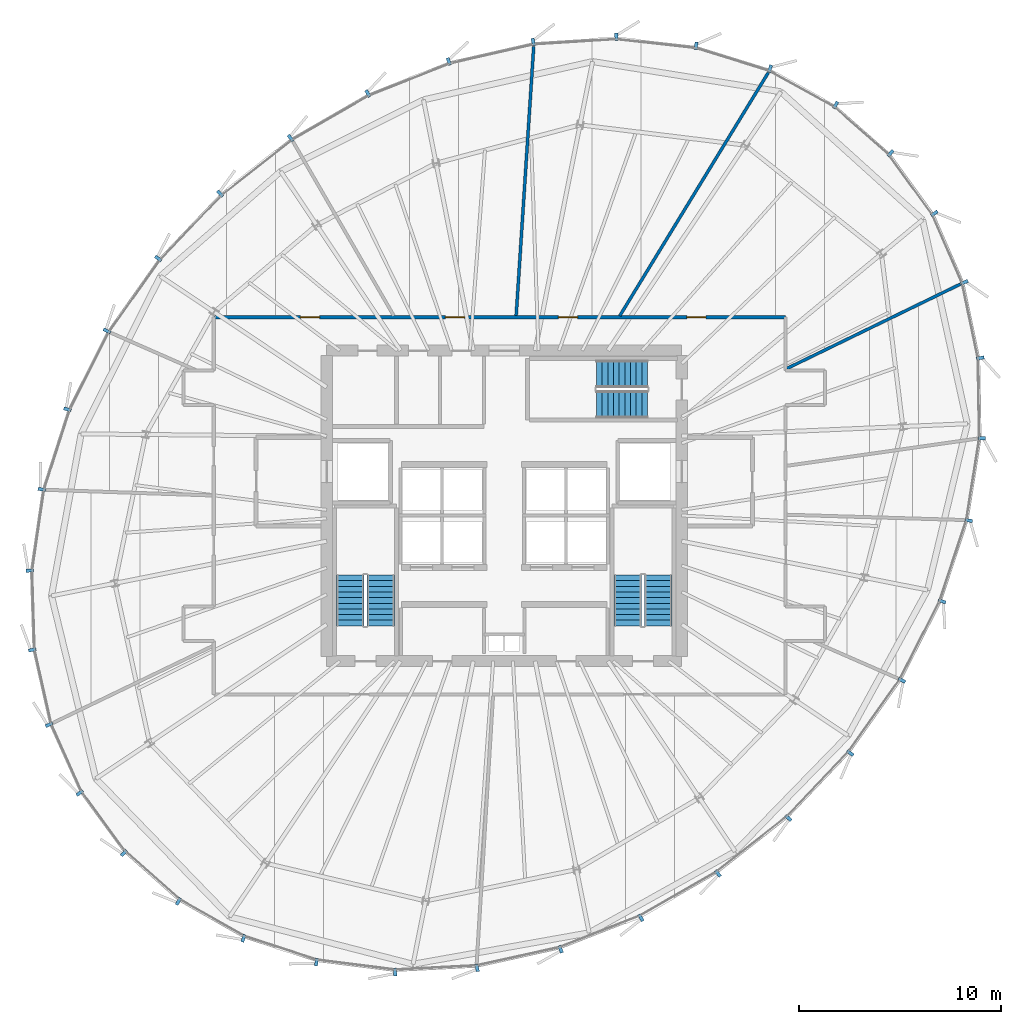
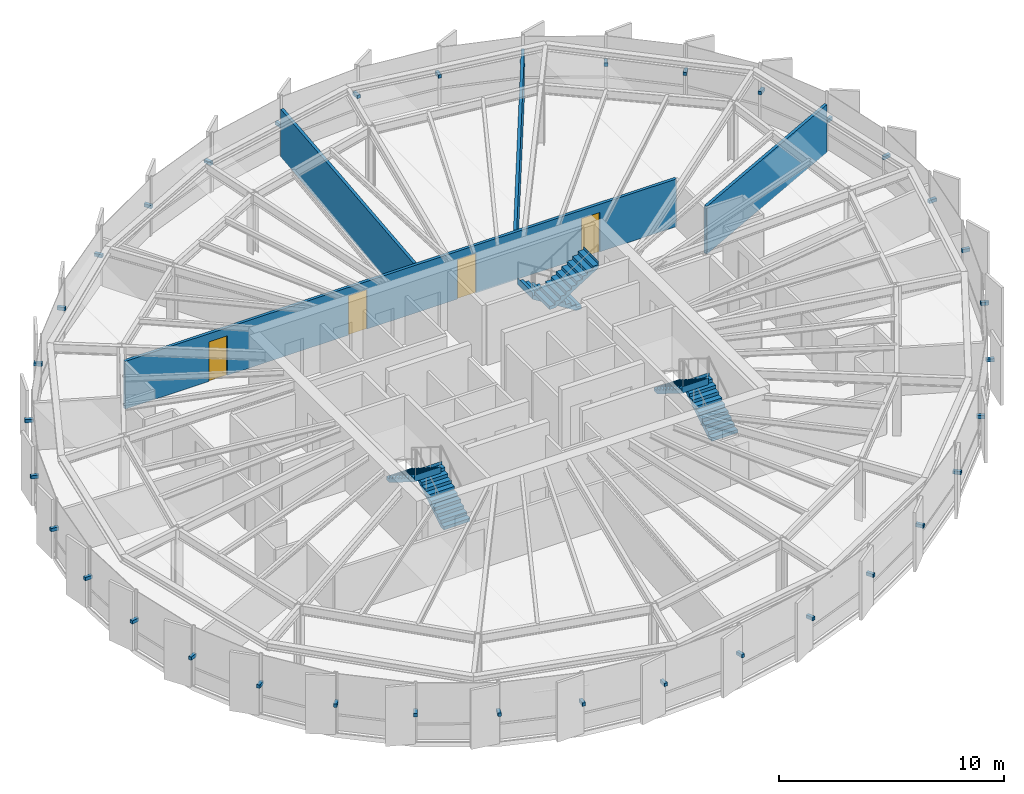
# One storey, part 32 of 35: 36 discrete accessories, 6 stair flights, 4 doors, 4 walls, 4 openings, 3 elements without a shape of their own.
"""IFC4 building model written with IfcOpenShell, lengths in metres."""

from ifc_helpers import new_model, si_unit, direction, frame, frame_2d, origin, origin_2d, place, context, subcontext, project, spatial, polyline, rectangle, outline, extrude, source, transform, mapped, material, layer, layer_set, type_object, element, fill, aggregate, save


model = new_model("IFC4")

# Units and contexts
model_context = context("Model", 3, precision=1e-05, world=origin(), true_north=direction((0.0, 1.0)))
body_context = subcontext(model_context, "Body", "Model", "MODEL_VIEW")
ifc_project = project(units=[si_unit("LENGTHUNIT", "METRE"), si_unit("AREAUNIT", "SQUARE_METRE"), si_unit("VOLUMEUNIT", "CUBIC_METRE"), si_unit("PLANEANGLEUNIT", "RADIAN"), si_unit("MASSUNIT", "GRAM", prefix="KILO"), si_unit("THERMODYNAMICTEMPERATUREUNIT", "KELVIN")], contexts=[model_context])

# Site, building, storey
site_placement = place(None, origin())
site = spatial("IfcSite", under=ifc_project, at=site_placement, CompositionType="ELEMENT")
building_placement = place(site_placement, origin())
building = spatial("IfcBuilding", under=site, at=building_placement, Name="Kethvar Cultural Tower", CompositionType="ELEMENT")
storey_placement = place(building_placement, frame((0.0, 0.0, 204.39990234375)))
storey = spatial("IfcBuildingStorey", under=building, at=storey_placement, Name="L53", CompositionType="ELEMENT", Elevation=204.39990234375)

# Wall, openings, doors
ifc_material_1 = material(Name="Gypsum Fireboard Partition")
ifc_layer_1 = layer(ifc_material_1, 0.14990234375, Name="Gypsum Fireboard Partition")
ifc_layer_set_1 = layer_set([ifc_layer_1], Name="Gypsum Fireboard Partition (150 mm)")
wall_type_1 = type_object("IfcWallType", Name="WL-FIRE-150", PredefinedType="PARTITIONING", material=ifc_layer_set_1)
wall_1_placement = place(storey_placement, frame((60.75, 37.14990234375, 0.0), z_axis=(0.0, 0.0, 1.0), x_axis=(-1.0, 0.0, 0.0)))
wall_1 = element("IfcWall", 1, at=wall_1_placement, inside=storey, type_object=wall_type_1, Name="L53 Corridor Rated Wall N", PredefinedType="PARTITIONING", context=body_context, shape_type="SweptSolid", body=[
    extrude(rectangle(XDim=28.35009765625, YDim=0.14990234375, at=frame_2d((14.175048828125, 0.0))), origin(), (0.0, 0.0, 1.0), 2.59521484375),
])
opening_1_placement = place(wall_1_placement, frame((3.946533203125, 0.0, 0.0)))
opening_1 = element("IfcOpeningElement", 2, at=opening_1_placement, cuts=wall_1, Name="Opening D-L53-06", PredefinedType="OPENING", context=body_context, shape_type="SweptSolid", body=[
    extrude(rectangle(XDim=0.949951171875, YDim=2.14990234375, at=frame_2d((0.47509765625, 1.074951171875))), frame((0.0, 0.0849609375, 0.0), z_axis=(0.0, -1.0, 0.0), x_axis=(1.0, 0.0, 0.0)), (0.0, 0.0, 1.0), 0.169921875),
])
opening_2_placement = place(wall_1_placement, frame((10.313720703125, 0.0, 0.0)))
opening_2 = element("IfcOpeningElement", 3, at=opening_2_placement, cuts=wall_1, Name="Opening D-L53-07", PredefinedType="OPENING", context=body_context, shape_type="SweptSolid", body=[
    extrude(rectangle(XDim=0.949951171875, YDim=2.14990234375, at=frame_2d((0.47509765625, 1.074951171875))), frame((0.0, 0.0849609375, 0.0), z_axis=(0.0, -1.0, 0.0), x_axis=(1.0, 0.0, 0.0)), (0.0, 0.0, 1.0), 0.169921875),
])
opening_3_placement = place(wall_1_placement, frame((15.91796875, 0.0, 0.0)))
opening_3 = element("IfcOpeningElement", 4, at=opening_3_placement, cuts=wall_1, Name="Opening D-L53-08", PredefinedType="OPENING", context=body_context, shape_type="SweptSolid", body=[
    extrude(rectangle(XDim=0.949951171875, YDim=2.14990234375, at=frame_2d((0.47509765625, 1.074951171875))), frame((0.0, 0.0849609375, 0.0), z_axis=(0.0, -1.0, 0.0), x_axis=(1.0, 0.0, 0.0)), (0.0, 0.0, 1.0), 0.169921875),
])
opening_4_placement = place(wall_1_placement, frame((23.100341796875, 0.0, 0.0)))
opening_4 = element("IfcOpeningElement", 5, at=opening_4_placement, cuts=wall_1, Name="Opening D-L53-09", PredefinedType="OPENING", context=body_context, shape_type="SweptSolid", body=[
    extrude(rectangle(XDim=0.949951171875, YDim=2.14990234375, at=frame_2d((0.47509765625, 1.074951171875))), frame((0.0, 0.0849609375, 0.0), z_axis=(0.0, -1.0, 0.0), x_axis=(1.0, 0.0, 0.0)), (0.0, 0.0, 1.0), 0.169921875),
])
ifc_material_2 = material(Name="Architectural Oak Timber", Category="wood")
door_type = type_object("IfcDoorType", Name="DR-FD30-950", OperationType="NOTDEFINED", PredefinedType="DOOR", material=ifc_material_2)
shared_shape_1 = source(origin(), body_context, "Body", "SweptSolid", [
    extrude(rectangle(XDim=0.949951171875, YDim=2.14990234375, at=frame_2d((0.47509765625, 1.074951171875))), frame((0.0, 0.02490234375, 0.0), z_axis=(0.0, -1.0, 0.0), x_axis=(1.0, 0.0, 0.0)), (0.0, 0.0, 1.0), 0.050048828125),
])
door_1_placement = place(opening_1_placement, origin())
door_1 = element("IfcDoor", 6, at=door_1_placement, inside=storey, type_object=door_type, Name="L53 Symposium Conference Room 06 Door", OperationType="SINGLE_SWING_LEFT", OverallHeight=2.14990234375, OverallWidth=0.949951171875, PredefinedType="DOOR", context=body_context, shape_type="MappedRepresentation", body=[
    mapped(shared_shape_1, transform((0.0, 0.0, 0.0), scale=1.0)),
])
fill(opening_1, door_1)
door_2_placement = place(opening_2_placement, origin())
door_2 = element("IfcDoor", 7, at=door_2_placement, inside=storey, type_object=door_type, Name="L53 Hospitality Sitting Lounge 07 Door", OperationType="SINGLE_SWING_RIGHT", OverallHeight=2.14990234375, OverallWidth=0.949951171875, PredefinedType="DOOR", context=body_context, shape_type="MappedRepresentation", body=[
    mapped(shared_shape_1, transform((0.0, 0.0, 0.0), scale=1.0)),
])
fill(opening_2, door_2)
door_3_placement = place(opening_3_placement, origin())
door_3 = element("IfcDoor", 8, at=door_3_placement, inside=storey, type_object=door_type, Name="L53 Scholars' Den Lounge 08 Door", OperationType="SINGLE_SWING_LEFT", OverallHeight=2.14990234375, OverallWidth=0.949951171875, PredefinedType="DOOR", context=body_context, shape_type="MappedRepresentation", body=[
    mapped(shared_shape_1, transform((0.0, 0.0, 0.0), scale=1.0)),
])
fill(opening_3, door_3)
door_4_placement = place(opening_4_placement, origin())
door_4 = element("IfcDoor", 9, at=door_4_placement, inside=storey, type_object=door_type, Name="L53 Laboratory Tea Pantry 09 Door", OperationType="SINGLE_SWING_RIGHT", OverallHeight=2.14990234375, OverallWidth=0.949951171875, PredefinedType="DOOR", context=body_context, shape_type="MappedRepresentation", body=[
    mapped(shared_shape_1, transform((0.0, 0.0, 0.0), scale=1.0)),
])
fill(opening_4, door_4)

# Walls
ifc_material_3 = material(Name="Gypsum Acoustic Partition")
ifc_layer_2 = layer(ifc_material_3, 0.14990234375, Name="Gypsum Acoustic Partition")
ifc_layer_set_2 = layer_set([ifc_layer_2], Name="Gypsum Acoustic Partition (150 mm)")
wall_type_2 = type_object("IfcWallType", Name="WL-PART-150", PredefinedType="PARTITIONING", material=ifc_layer_set_2)
wall_2_placement = place(storey_placement, frame((60.822021484375, 34.611083984375, 0.0), z_axis=(0.0, 0.0, 1.0), x_axis=(0.899297815146, 0.437336757743, 0.0)))
element("IfcWall", 10, at=wall_2_placement, inside=storey, type_object=wall_type_2, Name="L53 Radial Partition Wall 06", PredefinedType="PARTITIONING", context=body_context, shape_type="SweptSolid", body=[
    extrude(rectangle(XDim=9.5576171875, YDim=0.14990234375, at=frame_2d((4.77880859375, 0.0))), origin(), (0.0, 0.0, 1.0), 2.59521484375),
])
wall_3_placement = place(storey_placement, frame((52.5283203125, 37.21826171875, 0.0), z_axis=(0.0, 0.0, 1.0), x_axis=(0.521222786582, 0.853420650528, 0.0)))
element("IfcWall", 11, at=wall_3_placement, inside=storey, type_object=wall_type_2, Name="L53 Radial Partition Wall 07", PredefinedType="PARTITIONING", context=body_context, shape_type="SweptSolid", body=[
    extrude(rectangle(XDim=14.1259765625, YDim=0.14990234375, at=frame_2d((7.06298828125, 0.0))), origin(), (0.0, 0.0, 1.0), 2.59521484375),
])
wall_4_placement = place(storey_placement, frame((47.39306640625, 37.229736328125, 0.0), z_axis=(0.0, 0.0, 1.0), x_axis=(0.065049504942, 0.997882038072, 0.0)))
element("IfcWall", 12, at=wall_4_placement, inside=storey, type_object=wall_type_2, Name="L53 Radial Partition Wall 08", PredefinedType="PARTITIONING", context=body_context, shape_type="SweptSolid", body=[
    extrude(rectangle(XDim=13.376220703125, YDim=0.14990234375, at=frame_2d((6.68798828125, 0.0))), origin(), (0.0, 0.0, 1.0), 2.59521484375),
])

# Stair, stair flights
ifc_material_4 = material(Name="Concrete C40/50", Category="concrete")
stair_type = type_object("IfcStairType", Name="ST-DOGLEG-135", PredefinedType="HALF_TURN_STAIR", material=ifc_material_4)
stair_1_placement = place(storey_placement, origin())
stair_1 = element("IfcStair", 13, at=stair_1_placement, inside=storey, type_object=stair_type, Name="L53 Core Exit Stair 1", PredefinedType="HALF_TURN_STAIR")
stair_flight_type = type_object("IfcStairFlightType", Name="FL-STRAIGHT-135", PredefinedType="STRAIGHT", material=ifc_material_4)
stair_flight_1_placement = place(storey_placement, frame((40.675048828125, 21.85009765625, 0.0), z_axis=(0.0, 0.0, 1.0), x_axis=(0.0, 1.0, 0.0)))
stair_flight_1 = element("IfcStairFlight", 14, at=stair_flight_1_placement, type_object=stair_flight_type, Name="ST-01 flight 1", NumberOfRisers=10, NumberOfTreads=9, PredefinedType="STRAIGHT", RiserHeight=0.175, TreadLength=0.28, context=body_context, shape_type="SweptSolid", body=[
    extrude(outline(polyline([(-0.0009765625, -0.0009765625), (-0.0009765625, 0.175048828125), (0.280029296875, 0.175048828125), (0.280029296875, 0.35009765625), (0.56005859375, 0.35009765625), (0.56005859375, 0.52490234375), (0.840087890625, 0.52490234375), (0.840087890625, 0.699951171875), (1.1201171875, 0.699951171875), (1.1201171875, 0.875), (1.39990234375, 0.875), (1.39990234375, 1.050048828125), (1.679931640625, 1.050048828125), (1.679931640625, 1.22509765625), (1.9599609375, 1.22509765625), (1.9599609375, 1.39990234375), (2.239990234375, 1.39990234375), (2.239990234375, 1.574951171875), (2.52001953125, 1.574951171875), (2.52001953125, 1.75), (2.52099609375, 1.75), (2.52099609375, 1.398193359375), (0.28271484375, 0.0), (0.0, -0.0009765625), (-0.0009765625, -0.0009765625)])), frame((0.0, 0.675048828125, 0.0), z_axis=(0.0, -1.0, 0.0), x_axis=(1.0, 0.0, 0.0)), (0.0, 0.0, 1.0), 1.35009765625),
])
stair_flight_2_placement = place(storey_placement, frame((39.1650390625, 24.3701171875, 1.75), z_axis=(0.0, 0.0, 1.0), x_axis=(0.0, -1.0, 0.0)))
stair_flight_2 = element("IfcStairFlight", 15, at=stair_flight_2_placement, type_object=stair_flight_type, Name="ST-01 flight 2", NumberOfRisers=10, NumberOfTreads=9, PredefinedType="STRAIGHT", RiserHeight=0.175, TreadLength=0.28, context=body_context, shape_type="SweptSolid", body=[
    extrude(outline(polyline([(-0.0009765625, -0.0009765625), (-0.0009765625, 0.175048828125), (0.280029296875, 0.175048828125), (0.280029296875, 0.35009765625), (0.56005859375, 0.35009765625), (0.56005859375, 0.52490234375), (0.840087890625, 0.52490234375), (0.840087890625, 0.699951171875), (1.1201171875, 0.699951171875), (1.1201171875, 0.875), (1.39990234375, 0.875), (1.39990234375, 1.050048828125), (1.679931640625, 1.050048828125), (1.679931640625, 1.22509765625), (1.9599609375, 1.22509765625), (1.9599609375, 1.39990234375), (2.239990234375, 1.39990234375), (2.239990234375, 1.574951171875), (2.52001953125, 1.574951171875), (2.52001953125, 1.75), (2.52099609375, 1.75), (2.52099609375, 1.398193359375), (0.28271484375, 0.0), (0.0, -0.0009765625), (-0.0009765625, -0.0009765625)])), frame((0.0, 0.675048828125, 0.0), z_axis=(0.0, -1.0, 0.0), x_axis=(1.0, 0.0, 0.0)), (0.0, 0.0, 1.0), 1.35009765625),
])
aggregate(stair_1, [stair_flight_1, stair_flight_2])

stair_2_placement = place(storey_placement, origin())
stair_2 = element("IfcStair", 16, at=stair_2_placement, inside=storey, type_object=stair_type, Name="L53 Core Exit Stair 2", PredefinedType="HALF_TURN_STAIR")
stair_flight_3_placement = place(storey_placement, frame((54.43505859375, 21.85009765625, 0.0), z_axis=(0.0, 0.0, 1.0), x_axis=(0.0, 1.0, 0.0)))
stair_flight_3 = element("IfcStairFlight", 17, at=stair_flight_3_placement, type_object=stair_flight_type, Name="ST-02 flight 1", NumberOfRisers=10, NumberOfTreads=9, PredefinedType="STRAIGHT", RiserHeight=0.175, TreadLength=0.28, context=body_context, shape_type="SweptSolid", body=[
    extrude(outline(polyline([(-0.0009765625, -0.0009765625), (-0.0009765625, 0.175048828125), (0.280029296875, 0.175048828125), (0.280029296875, 0.35009765625), (0.56005859375, 0.35009765625), (0.56005859375, 0.52490234375), (0.840087890625, 0.52490234375), (0.840087890625, 0.699951171875), (1.1201171875, 0.699951171875), (1.1201171875, 0.875), (1.39990234375, 0.875), (1.39990234375, 1.050048828125), (1.679931640625, 1.050048828125), (1.679931640625, 1.22509765625), (1.9599609375, 1.22509765625), (1.9599609375, 1.39990234375), (2.239990234375, 1.39990234375), (2.239990234375, 1.574951171875), (2.52001953125, 1.574951171875), (2.52001953125, 1.75), (2.52099609375, 1.75), (2.52099609375, 1.398193359375), (0.28271484375, 0.0), (0.0, -0.0009765625), (-0.0009765625, -0.0009765625)])), frame((0.0, 0.675048828125, 0.0), z_axis=(0.0, -1.0, 0.0), x_axis=(1.0, 0.0, 0.0)), (0.0, 0.0, 1.0), 1.35009765625),
])
stair_flight_4_placement = place(storey_placement, frame((52.925048828125, 24.3701171875, 1.75), z_axis=(0.0, 0.0, 1.0), x_axis=(0.0, -1.0, 0.0)))
stair_flight_4 = element("IfcStairFlight", 18, at=stair_flight_4_placement, type_object=stair_flight_type, Name="ST-02 flight 2", NumberOfRisers=10, NumberOfTreads=9, PredefinedType="STRAIGHT", RiserHeight=0.175, TreadLength=0.28, context=body_context, shape_type="SweptSolid", body=[
    extrude(outline(polyline([(-0.0009765625, -0.0009765625), (-0.0009765625, 0.175048828125), (0.280029296875, 0.175048828125), (0.280029296875, 0.35009765625), (0.56005859375, 0.35009765625), (0.56005859375, 0.52490234375), (0.840087890625, 0.52490234375), (0.840087890625, 0.699951171875), (1.1201171875, 0.699951171875), (1.1201171875, 0.875), (1.39990234375, 0.875), (1.39990234375, 1.050048828125), (1.679931640625, 1.050048828125), (1.679931640625, 1.22509765625), (1.9599609375, 1.22509765625), (1.9599609375, 1.39990234375), (2.239990234375, 1.39990234375), (2.239990234375, 1.574951171875), (2.52001953125, 1.574951171875), (2.52001953125, 1.75), (2.52099609375, 1.75), (2.52099609375, 1.398193359375), (0.28271484375, 0.0), (0.0, -0.0009765625), (-0.0009765625, -0.0009765625)])), frame((0.0, 0.675048828125, 0.0), z_axis=(0.0, -1.0, 0.0), x_axis=(1.0, 0.0, 0.0)), (0.0, 0.0, 1.0), 1.35009765625),
])
aggregate(stair_2, [stair_flight_3, stair_flight_4])

stair_3_placement = place(storey_placement, origin())
stair_3 = element("IfcStair", 19, at=stair_3_placement, inside=storey, type_object=stair_type, Name="L53 Core Exit Stair 3", PredefinedType="HALF_TURN_STAIR")
stair_flight_5_placement = place(storey_placement, frame((53.89990234375, 34.3349609375, 0.0), z_axis=(0.0, 0.0, 1.0), x_axis=(-1.0, 0.0, 0.0)))
stair_flight_5 = element("IfcStairFlight", 20, at=stair_flight_5_placement, type_object=stair_flight_type, Name="ST-03 flight 1", NumberOfRisers=10, NumberOfTreads=9, PredefinedType="STRAIGHT", RiserHeight=0.175, TreadLength=0.28, context=body_context, shape_type="SweptSolid", body=[
    extrude(outline(polyline([(-0.0009765625, -0.0009765625), (-0.0009765625, 0.175048828125), (0.280029296875, 0.175048828125), (0.280029296875, 0.35009765625), (0.56005859375, 0.35009765625), (0.56005859375, 0.52490234375), (0.840087890625, 0.52490234375), (0.840087890625, 0.699951171875), (1.1201171875, 0.699951171875), (1.1201171875, 0.875), (1.39990234375, 0.875), (1.39990234375, 1.050048828125), (1.679931640625, 1.050048828125), (1.679931640625, 1.22509765625), (1.9599609375, 1.22509765625), (1.9599609375, 1.39990234375), (2.239990234375, 1.39990234375), (2.239990234375, 1.574951171875), (2.52001953125, 1.574951171875), (2.52001953125, 1.75), (2.52099609375, 1.75), (2.52099609375, 1.398193359375), (0.28271484375, 0.0), (0.0, -0.0009765625), (-0.0009765625, -0.0009765625)])), frame((0.0, 0.675048828125, 0.0), z_axis=(0.0, -1.0, 0.0), x_axis=(1.0, 0.0, 0.0)), (0.0, 0.0, 1.0), 1.35009765625),
])
stair_flight_6_placement = place(storey_placement, frame((51.3798828125, 32.824951171875, 1.75), z_axis=(0.0, 0.0, 1.0), x_axis=(1.0, 0.0, 0.0)))
stair_flight_6 = element("IfcStairFlight", 21, at=stair_flight_6_placement, type_object=stair_flight_type, Name="ST-03 flight 2", NumberOfRisers=10, NumberOfTreads=9, PredefinedType="STRAIGHT", RiserHeight=0.175, TreadLength=0.28, context=body_context, shape_type="SweptSolid", body=[
    extrude(outline(polyline([(-0.0009765625, -0.0009765625), (-0.0009765625, 0.175048828125), (0.280029296875, 0.175048828125), (0.280029296875, 0.35009765625), (0.56005859375, 0.35009765625), (0.56005859375, 0.52490234375), (0.840087890625, 0.52490234375), (0.840087890625, 0.699951171875), (1.1201171875, 0.699951171875), (1.1201171875, 0.875), (1.39990234375, 0.875), (1.39990234375, 1.050048828125), (1.679931640625, 1.050048828125), (1.679931640625, 1.22509765625), (1.9599609375, 1.22509765625), (1.9599609375, 1.39990234375), (2.239990234375, 1.39990234375), (2.239990234375, 1.574951171875), (2.52001953125, 1.574951171875), (2.52001953125, 1.75), (2.52099609375, 1.75), (2.52099609375, 1.398193359375), (0.28271484375, 0.0), (0.0, -0.0009765625), (-0.0009765625, -0.0009765625)])), frame((0.0, 0.675048828125, 0.0), z_axis=(0.0, -1.0, 0.0), x_axis=(1.0, 0.0, 0.0)), (0.0, 0.0, 1.0), 1.35009765625),
])
aggregate(stair_3, [stair_flight_5, stair_flight_6])

# Discrete accessories
ifc_material_5 = material(Name="Steel S355J2", Category="steel")
discrete_accessory_type = type_object("IfcDiscreteAccessoryType", Name="Steel Fin Bracket BRK-01", PredefinedType="BRACKET", material=ifc_material_5)
shared_shape_2 = source(origin(), body_context, "Body", "SweptSolid", [
    extrude(rectangle(XDim=0.3798828125, YDim=0.159912109375, at=origin_2d()), origin(), (0.0, 0.0, 1.0), 0.179931640625),
])
for number, where, z_axis, x_axis, name in (
    (22, (65.9501953125, 45.279296875, 1.5400390625), (0.0, 0.0, 1.0), (0.660919017453, 0.750457228874, 0.0), "L53 Terracotta Fin Bracket 1.1"),
    (23, (63.234619140625, 47.6708984375, 1.5400390625), (0.0, 0.0, 1.0), (0.484504290844, 0.874788884333, 0.0), "L53 Terracotta Fin Bracket 1.2"),
    (24, (59.978759765625, 49.4736328125, 1.5400390625), (0.0, 0.0, 1.0), (0.296541574976, 0.955019944457, 0.0), "L53 Terracotta Fin Bracket 1.3"),
    (25, (56.315185546875, 50.61083984375, 1.5400390625), (0.0, 0.0, 1.0), (0.111295485288, 0.993787359023, 0.0), "L53 Terracotta Fin Bracket 1.4"),
    (26, (52.36083984375, 51.053466796875, 1.5400390625), (0.0, 0.0, 1.0), (-0.062790519529, 0.998026728428, 0.0), "L53 Terracotta Fin Bracket 1.5"),
    (27, (48.242919921875, 50.79443359375, 1.5400390625), (0.0, 0.0, 1.0), (-0.222569549971, 0.974916814618, 0.0), "L53 Terracotta Fin Bracket 1.6"),
    (28, (44.056396484375, 49.832763671875, 1.5400390625), (0.0, 0.0, 1.0), (-0.367799977044, 0.92990492895, 0.0), "L53 Terracotta Fin Bracket 2.1"),
    (29, (40.039794921875, 48.24365234375, 1.5400390625), (0.0, 0.0, 1.0), (-0.499546481641, 0.866287084447, 0.0), "L53 Terracotta Fin Bracket 2.2"),
    (30, (36.208251953125, 46.03369140625, 1.5400390625), (0.0, 0.0, 1.0), (-0.618408395358, 0.785856893175, 0.0), "L53 Terracotta Fin Bracket 2.3"),
    (31, (32.711669921875, 43.28173828125, 1.5400390625), (0.0, 0.0, 1.0), (-0.724171861437, 0.689619543736, 0.0), "L53 Terracotta Fin Bracket 2.4"),
    (32, (29.646728515625, 40.06298828125, 1.5400390625), (0.0, 0.0, 1.0), (-0.816036722469, 0.578000058462, 0.0), "L53 Terracotta Fin Bracket 2.5"),
    (33, (27.102783203125, 36.471435546875, 1.5400390625), (0.0, 0.0, 1.0), (-0.892743150022, 0.450565941999, 0.0), "L53 Terracotta Fin Bracket 2.6"),
    (34, (25.1455078125, 32.579345703125, 1.5400390625), (0.0, 0.0, 1.0), (-0.951915745148, 0.306359942125, 0.0), "L53 Terracotta Fin Bracket 3.1"),
    (35, (23.869384765625, 28.614990234375, 1.5400390625), (0.0, 0.0, 1.0), (-0.989374077068, 0.145392350643, 0.0), "L53 Terracotta Fin Bracket 3.2"),
    (36, (23.2783203125, 24.588623046875, 1.5400390625), (0.0, 0.0, 1.0), (-0.999506560366, -0.031410759078, 0.0), "L53 Terracotta Fin Bracket 3.3"),
    (37, (23.401611328125, 20.65966796875, 1.5400390625), (0.0, 0.0, 1.0), (-0.97564952142, -0.219335385547, 0.0), "L53 Terracotta Fin Bracket 3.4"),
    (38, (24.236083984375, 16.94775390625, 1.5400390625), (0.0, 0.0, 1.0), (-0.912120116172, -0.409923033842, 0.0), "L53 Terracotta Fin Bracket 3.5"),
    (39, (25.756591796875, 13.5654296875, 1.5400390625), (0.0, 0.0, 1.0), (-0.806857219719, -0.590746499768, 0.0), "L53 Terracotta Fin Bracket 3.6"),
    (40, (27.945556640625, 10.58984375, 1.5400390625), (0.0, 0.0, 1.0), (-0.664056717928, -0.747682202125, 0.0), "L53 Terracotta Fin Bracket 4.1"),
    (41, (30.64990234375, 8.188232421875, 1.5400390625), (0.0, 0.0, 1.0), (-0.493941866584, -0.869494929505, 0.0), "L53 Terracotta Fin Bracket 4.2"),
    (42, (33.874267578125, 6.35693359375, 1.5400390625), (0.0, 0.0, 1.0), (-0.310178698193, -0.950678271124, 0.0), "L53 Terracotta Fin Bracket 4.3"),
    (43, (37.491455078125, 5.177001953125, 1.5400390625), (0.0, 0.0, 1.0), (-0.125333233564, -0.992114701314, 0.0), "L53 Terracotta Fin Bracket 4.4"),
    (44, (41.39111328125, 4.684814453125, 1.5400390625), (0.0, 0.0, 1.0), (0.05163876861, -0.998665828782, 0.0), "L53 Terracotta Fin Bracket 4.5"),
    (45, (45.455078125, 4.894775390625, 1.5400390625), (0.0, 0.0, 1.0), (0.215417120661, -0.976522126798, 0.0), "L53 Terracotta Fin Bracket 4.6"),
    (46, (49.595947265625, 5.814697265625, 1.5400390625), (0.0, 0.0, 1.0), (0.364551762325, -0.931183125162, 0.0), "L53 Terracotta Fin Bracket 5.1"),
    (47, (53.58056640625, 7.374755859375, 1.5400390625), (0.0, 0.0, 1.0), (0.498639034186, -0.866809733209, 0.0), "L53 Terracotta Fin Bracket 5.2"),
    (48, (57.3955078125, 9.569580078125, 1.5400390625), (0.0, 0.0, 1.0), (0.618408395358, -0.785856893175, 0.0), "L53 Terracotta Fin Bracket 5.3"),
    (49, (60.88818359375, 12.318115234375, 1.5400390625), (0.0, 0.0, 1.0), (0.724171861437, -0.689619543736, 0.0), "L53 Terracotta Fin Bracket 5.4"),
    (50, (63.956787109375, 15.54052734375, 1.5400390625), (0.0, 0.0, 1.0), (0.815430994891, -0.57885429304, 0.0), "L53 Terracotta Fin Bracket 5.5"),
    (51, (66.517333984375, 19.147216796875, 1.5400390625), (0.0, 0.0, 1.0), (0.891164942482, -0.453679452137, 0.0), "L53 Terracotta Fin Bracket 5.6"),
    (52, (68.507080078125, 23.068115234375, 1.5400390625), (0.0, 0.0, 1.0), (0.949644454342, -0.31332955548, 0.0), "L53 Terracotta Fin Bracket 6.1"),
    (53, (69.82861328125, 27.07421875, 1.5400390625), (0.0, 0.0, 1.0), (0.987688340595, -0.15643446504, 0.0), "L53 Terracotta Fin Bracket 6.2"),
    (54, (70.473876953125, 31.149658203125, 1.5400390625), (0.0, 0.0, 1.0), (0.999850725947, 0.017277899829, 0.0), "L53 Terracotta Fin Bracket 6.3"),
    (55, (70.40478515625, 35.1279296875, 1.5400390625), (0.0, 0.0, 1.0), (0.978688559589, 0.205350196811, 0.0), "L53 Terracotta Fin Bracket 6.4"),
    (56, (69.6171875, 38.882568359375, 1.5400390625), (0.0, 0.0, 1.0), (0.916502421907, 0.400029137237, 0.0), "L53 Terracotta Fin Bracket 6.5"),
    (57, (68.12841796875, 42.293701171875, 1.5400390625), (0.0, 0.0, 1.0), (0.809324647101, 0.587361571432, 0.0), "L53 Terracotta Fin Bracket 6.6"),
):
    element("IfcDiscreteAccessory", number, at=place(storey_placement, frame(where, z_axis=z_axis, x_axis=x_axis)), inside=storey, type_object=discrete_accessory_type, Name=name, PredefinedType="BRACKET", context=body_context, shape_type="MappedRepresentation", body=[
        mapped(shared_shape_2, transform((0.0, 0.0, 0.0), scale=1.0)),
    ])

save(model, "model.ifc")
